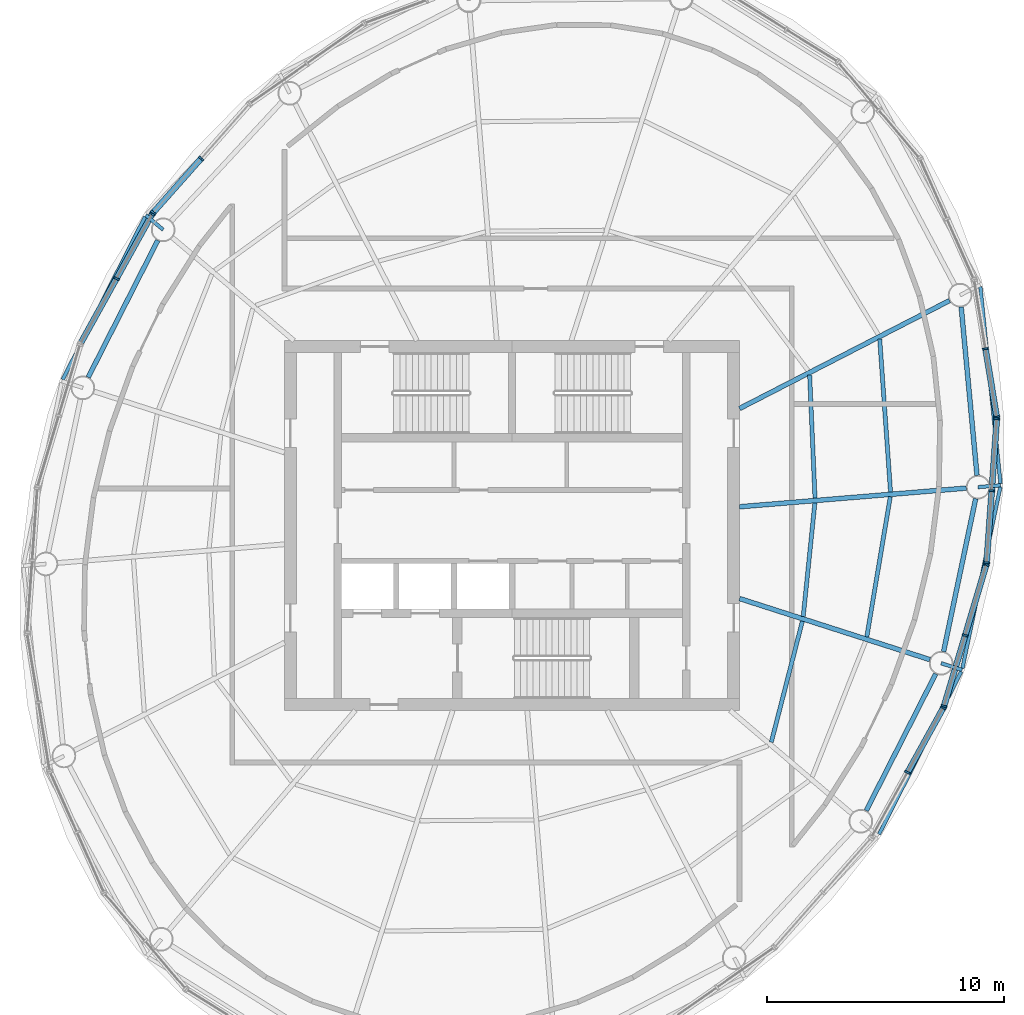
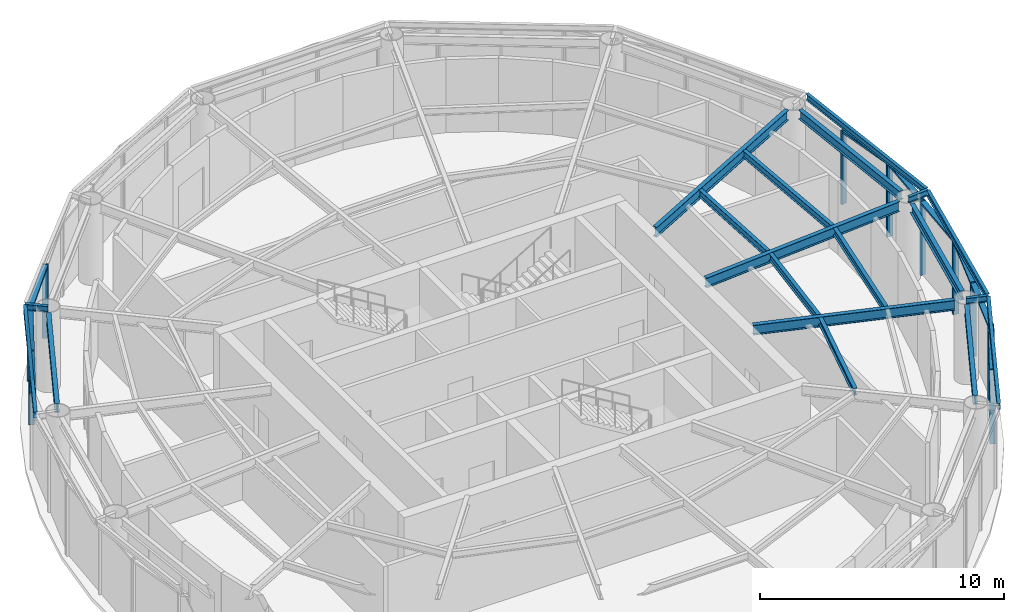
# One storey, part 4 of 11: 23 members, 19 beams, 6 elements without a shape of their own.
"""IFC4 building model written with IfcOpenShell, lengths in metres."""

from ifc_helpers import new_model, si_unit, direction, frame, origin, origin_2d, place, context, subcontext, project, spatial, rectangle, i_section, extrude, material, material_profile, profile_set, type_object, element, aggregate, save


model = new_model("IFC4")

# Units and contexts
model_context = context("Model", 3, precision=1e-05, world=origin(), true_north=direction((0.0, 1.0)))
body_context = subcontext(model_context, "Body", "Model", "MODEL_VIEW")
ifc_project = project(units=[si_unit("LENGTHUNIT", "METRE"), si_unit("AREAUNIT", "SQUARE_METRE"), si_unit("VOLUMEUNIT", "CUBIC_METRE"), si_unit("PLANEANGLEUNIT", "RADIAN"), si_unit("MASSUNIT", "GRAM", prefix="KILO")], contexts=[model_context])

# Site, building, storey
site_placement = place(None, origin())
site = spatial("IfcSite", under=ifc_project, at=site_placement, CompositionType="ELEMENT")
building_placement = place(site_placement, origin())
building = spatial("IfcBuilding", under=site, at=building_placement, Name="Vermilion Reach Broadcast Tower", CompositionType="ELEMENT")
storey_placement = place(building_placement, frame((0.0, 0.0, 321.300048828125)))
storey = spatial("IfcBuildingStorey", under=building, at=storey_placement, Name="L80 CROWN", CompositionType="ELEMENT", Elevation=321.300048828125)

# Curtain wall, members
ifc_material_1 = material(Name="Low-e laminated clear glass in aluminium frame", Category="aluminium")
curtain_wall_type = type_object("IfcCurtainWallType", Name="Crown glazing curtain wall", PredefinedType="NOTDEFINED", material=ifc_material_1)
placement = place(storey_placement, origin())
curtain_wall_1 = element("IfcCurtainWall", 1, at=placement, inside=storey, type_object=curtain_wall_type, Name="Crown glazing L80 CROWN 05", PredefinedType="NOTDEFINED")
ifc_material_2 = material(Name="Anodised aluminium", Category="aluminium")
ifc_material_profile_1 = material_profile(ifc_material_2, rectangle(XDim=0.25, YDim=0.080078125, at=origin_2d()), Name="Crown glazing mullion 80 x 250")
ifc_profile_set_1 = profile_set([ifc_material_profile_1], Name="Anodised aluminium")
member_type_1 = type_object("IfcMemberType", Name="Crown glazing mullion 80 x 250", PredefinedType="MULLION", material=ifc_profile_set_1)
member_1_placement = place(storey_placement, frame((-19.11669921875, 15.484619140625, 0.0), z_axis=(0.0, 0.0, 1.0), x_axis=(0.748407682668, -0.663238976934, 0.0)))
member_1 = element("IfcMember", 2, at=member_1_placement, type_object=member_type_1, Name="Crown glazing mullion L80 CROWN 05.2", PredefinedType="MULLION", context=body_context, shape_type="SweptSolid", body=[
    extrude(rectangle(XDim=0.25, YDim=0.080078125, at=origin_2d()), origin(), (0.0, 0.0, 1.0), 3.699951171875),
])
member_2_placement = place(storey_placement, frame((-21.135498046875, 13.20654296875, 0.0), z_axis=(0.0, 0.0, 1.0), x_axis=(0.748407682668, -0.663238976934, 0.0)))
member_2 = element("IfcMember", 3, at=member_2_placement, type_object=member_type_1, Name="Crown glazing mullion L80 CROWN 05.3", PredefinedType="MULLION", context=body_context, shape_type="SweptSolid", body=[
    extrude(rectangle(XDim=0.25, YDim=0.080078125, at=origin_2d()), origin(), (0.0, 0.0, 1.0), 3.699951171875),
])

curtain_wall_2 = element("IfcCurtainWall", 4, at=placement, inside=storey, type_object=curtain_wall_type, Name="Crown glazing L80 CROWN 06", PredefinedType="NOTDEFINED")
member_3_placement = place(storey_placement, frame((-21.181396484375, 13.1416015625, 0.0), z_axis=(0.0, 0.0, 1.0), x_axis=(0.874983200268, -0.484153280738, 0.0)))
member_3 = element("IfcMember", 5, at=member_3_placement, type_object=member_type_1, Name="Crown glazing mullion L80 CROWN 06.1", PredefinedType="MULLION", context=body_context, shape_type="SweptSolid", body=[
    extrude(rectangle(XDim=0.25, YDim=0.080078125, at=origin_2d()), origin(), (0.0, 0.0, 1.0), 3.699951171875),
])
member_4_placement = place(storey_placement, frame((-22.68896484375, 10.4169921875, 0.0), z_axis=(0.0, 0.0, 1.0), x_axis=(0.874983200268, -0.484153280738, 0.0)))
member_4 = element("IfcMember", 6, at=member_4_placement, type_object=member_type_1, Name="Crown glazing mullion L80 CROWN 06.2", PredefinedType="MULLION", context=body_context, shape_type="SweptSolid", body=[
    extrude(rectangle(XDim=0.25, YDim=0.080078125, at=origin_2d()), origin(), (0.0, 0.0, 1.0), 3.699951171875),
])

curtain_wall_3 = element("IfcCurtainWall", 7, at=placement, inside=storey, type_object=curtain_wall_type, Name="Crown glazing L80 CROWN 18", PredefinedType="NOTDEFINED")
member_5_placement = place(storey_placement, frame((10.68896484375, -10.4169921875, 0.0), z_axis=(0.0, 0.0, 1.0), x_axis=(-0.874983200268, 0.484153280738, 0.0)))
member_5 = element("IfcMember", 8, at=member_5_placement, type_object=member_type_1, Name="Crown glazing mullion L80 CROWN 18.2", PredefinedType="MULLION", context=body_context, shape_type="SweptSolid", body=[
    extrude(rectangle(XDim=0.25, YDim=0.080078125, at=origin_2d()), origin(), (0.0, 0.0, 1.0), 3.699951171875),
])
member_6_placement = place(storey_placement, frame((12.196533203125, -7.6923828125, 0.0), z_axis=(0.0, 0.0, 1.0), x_axis=(-0.874983200268, 0.484153280738, 0.0)))
member_6 = element("IfcMember", 9, at=member_6_placement, type_object=member_type_1, Name="Crown glazing mullion L80 CROWN 18.3", PredefinedType="MULLION", context=body_context, shape_type="SweptSolid", body=[
    extrude(rectangle(XDim=0.25, YDim=0.080078125, at=origin_2d()), origin(), (0.0, 0.0, 1.0), 3.699951171875),
])

curtain_wall_4 = element("IfcCurtainWall", 10, at=placement, inside=storey, type_object=curtain_wall_type, Name="Crown glazing L80 CROWN 19", PredefinedType="NOTDEFINED")
member_7_placement = place(storey_placement, frame((12.2275390625, -7.618896484375, 0.0), z_axis=(0.0, 0.0, 1.0), x_axis=(-0.958107940789, 0.286407356394, 0.0)))
member_7 = element("IfcMember", 11, at=member_7_placement, type_object=member_type_1, Name="Crown glazing mullion L80 CROWN 19.1", PredefinedType="MULLION", context=body_context, shape_type="SweptSolid", body=[
    extrude(rectangle(XDim=0.25, YDim=0.080078125, at=origin_2d()), origin(), (0.0, 0.0, 1.0), 3.699951171875),
])
member_8_placement = place(storey_placement, frame((13.119384765625, -4.635498046875, 0.0), z_axis=(0.0, 0.0, 1.0), x_axis=(-0.958107940789, 0.286407356394, 0.0)))
member_8 = element("IfcMember", 12, at=member_8_placement, type_object=member_type_1, Name="Crown glazing mullion L80 CROWN 19.2", PredefinedType="MULLION", context=body_context, shape_type="SweptSolid", body=[
    extrude(rectangle(XDim=0.25, YDim=0.080078125, at=origin_2d()), origin(), (0.0, 0.0, 1.0), 3.699951171875),
])
member_9_placement = place(storey_placement, frame((14.01123046875, -1.65185546875, 0.0), z_axis=(0.0, 0.0, 1.0), x_axis=(-0.958107940789, 0.286407356394, 0.0)))
member_9 = element("IfcMember", 13, at=member_9_placement, type_object=member_type_1, Name="Crown glazing mullion L80 CROWN 19.3", PredefinedType="MULLION", context=body_context, shape_type="SweptSolid", body=[
    extrude(rectangle(XDim=0.25, YDim=0.080078125, at=origin_2d()), origin(), (0.0, 0.0, 1.0), 3.699951171875),
])

curtain_wall_5 = element("IfcCurtainWall", 14, at=placement, inside=storey, type_object=curtain_wall_type, Name="Crown glazing L80 CROWN 20", PredefinedType="NOTDEFINED")
member_10_placement = place(storey_placement, frame((14.025390625, -1.57373046875, 0.0), z_axis=(0.0, 0.0, 1.0), x_axis=(-0.997499557729, 0.070672712769, 0.0)))
member_10 = element("IfcMember", 15, at=member_10_placement, type_object=member_type_1, Name="Crown glazing mullion L80 CROWN 20.1", PredefinedType="MULLION", context=body_context, shape_type="SweptSolid", body=[
    extrude(rectangle(XDim=0.25, YDim=0.080078125, at=origin_2d()), origin(), (0.0, 0.0, 1.0), 3.699951171875),
])
member_11_placement = place(storey_placement, frame((14.240478515625, 1.46240234375, 0.0), z_axis=(0.0, 0.0, 1.0), x_axis=(-0.997499557729, 0.070672712769, 0.0)))
member_11 = element("IfcMember", 16, at=member_11_placement, type_object=member_type_1, Name="Crown glazing mullion L80 CROWN 20.2", PredefinedType="MULLION", context=body_context, shape_type="SweptSolid", body=[
    extrude(rectangle(XDim=0.25, YDim=0.080078125, at=origin_2d()), origin(), (0.0, 0.0, 1.0), 3.699951171875),
])
member_12_placement = place(storey_placement, frame((14.455810546875, 4.49853515625, 0.0), z_axis=(0.0, 0.0, 1.0), x_axis=(-0.997499557729, 0.070672712769, 0.0)))
member_12 = element("IfcMember", 17, at=member_12_placement, type_object=member_type_1, Name="Crown glazing mullion L80 CROWN 20.3", PredefinedType="MULLION", context=body_context, shape_type="SweptSolid", body=[
    extrude(rectangle(XDim=0.25, YDim=0.080078125, at=origin_2d()), origin(), (0.0, 0.0, 1.0), 3.699951171875),
])

curtain_wall_6 = element("IfcCurtainWall", 18, at=placement, inside=storey, type_object=curtain_wall_type, Name="Crown glazing L80 CROWN 21", PredefinedType="NOTDEFINED")
member_13_placement = place(storey_placement, frame((14.451904296875, 4.577880859375, 0.0), z_axis=(0.0, 0.0, 1.0), x_axis=(-0.986689101121, -0.162618011697, 0.0)))
member_13 = element("IfcMember", 19, at=member_13_placement, type_object=member_type_1, Name="Crown glazing mullion L80 CROWN 21.1", PredefinedType="MULLION", context=body_context, shape_type="SweptSolid", body=[
    extrude(rectangle(XDim=0.25, YDim=0.080078125, at=origin_2d()), origin(), (0.0, 0.0, 1.0), 3.699951171875),
])
member_14_placement = place(storey_placement, frame((13.9775390625, 7.456787109375, 0.0), z_axis=(0.0, 0.0, 1.0), x_axis=(-0.986689101121, -0.162618011697, 0.0)))
member_14 = element("IfcMember", 20, at=member_14_placement, type_object=member_type_1, Name="Crown glazing mullion L80 CROWN 21.2", PredefinedType="MULLION", context=body_context, shape_type="SweptSolid", body=[
    extrude(rectangle(XDim=0.25, YDim=0.080078125, at=origin_2d()), origin(), (0.0, 0.0, 1.0), 3.699951171875),
])

# Member
ifc_material_3 = material(Name="Anodised aluminium", Category="aluminium")
ifc_material_profile_2 = material_profile(ifc_material_3, rectangle(XDim=0.25, YDim=0.10009765625, at=origin_2d()), Name="Crown glazing transom 250 x 100")
ifc_profile_set_2 = profile_set([ifc_material_profile_2], Name="Anodised aluminium")
member_type_2 = type_object("IfcMemberType", Name="Crown glazing transom 250 x 100", PredefinedType="USERDEFINED", material=ifc_profile_set_2)
member_15_placement = place(storey_placement, frame((-19.143310546875, 15.45458984375, 3.64990234375), z_axis=(-0.663233067327, -0.74841291972, 0.0), x_axis=(0.74841291972, -0.663233067327, 0.0)))
member_15 = element("IfcMember", 21, at=member_15_placement, type_object=member_type_2, Name="Crown glazing transom L80 CROWN 05.2.2", ObjectType="TRANSOM", PredefinedType="USERDEFINED", context=body_context, shape_type="SweptSolid", body=[
    extrude(rectangle(XDim=0.25, YDim=0.10009765625, at=origin_2d()), origin(), (0.0, 0.0, 1.0), 2.963623046875),
])

aggregate(curtain_wall_1, [member_1, member_2, member_15])

member_16_placement = place(storey_placement, frame((-21.20068359375, 13.106689453125, 3.64990234375), z_axis=(-0.484159697597, -0.874979649605, 0.0), x_axis=(0.874979649605, -0.484159697597, 0.0)))
member_16 = element("IfcMember", 22, at=member_16_placement, type_object=member_type_2, Name="Crown glazing transom L80 CROWN 06.1.2", ObjectType="TRANSOM", PredefinedType="USERDEFINED", context=body_context, shape_type="SweptSolid", body=[
    extrude(rectangle(XDim=0.25, YDim=0.10009765625, at=origin_2d()), origin(), (0.0, 0.0, 1.0), 3.0341796875),
])

member_17_placement = place(storey_placement, frame((-22.70849609375, 10.382080078125, 3.64990234375), z_axis=(-0.484098090619, -0.875013736269, 0.0), x_axis=(0.875013736269, -0.484098090619, 0.0)))
member_17 = element("IfcMember", 23, at=member_17_placement, type_object=member_type_2, Name="Crown glazing transom L80 CROWN 06.2.2", ObjectType="TRANSOM", PredefinedType="USERDEFINED", context=body_context, shape_type="SweptSolid", body=[
    extrude(rectangle(XDim=0.25, YDim=0.10009765625, at=origin_2d()), origin(), (0.0, 0.0, 1.0), 3.033935546875),
])

aggregate(curtain_wall_2, [member_3, member_4, member_16, member_17])

member_18_placement = place(storey_placement, frame((10.70849609375, -10.382080078125, 3.64990234375), z_axis=(0.484098090619, 0.875013736269, 0.0), x_axis=(-0.875013736269, 0.484098090619, 0.0)))
member_18 = element("IfcMember", 24, at=member_18_placement, type_object=member_type_2, Name="Crown glazing transom L80 CROWN 18.2.2", ObjectType="TRANSOM", PredefinedType="USERDEFINED", context=body_context, shape_type="SweptSolid", body=[
    extrude(rectangle(XDim=0.25, YDim=0.10009765625, at=origin_2d()), origin(), (0.0, 0.0, 1.0), 3.033935546875),
])

aggregate(curtain_wall_3, [member_5, member_6, member_18])

member_19_placement = place(storey_placement, frame((12.239013671875, -7.58056640625, 3.64990234375), z_axis=(0.286402743865, 0.958109319601, 0.0), x_axis=(-0.958109319601, 0.286402743865, 0.0)))
member_19 = element("IfcMember", 25, at=member_19_placement, type_object=member_type_2, Name="Crown glazing transom L80 CROWN 19.1.2", ObjectType="TRANSOM", PredefinedType="USERDEFINED", context=body_context, shape_type="SweptSolid", body=[
    extrude(rectangle(XDim=0.25, YDim=0.10009765625, at=origin_2d()), origin(), (0.0, 0.0, 1.0), 3.033935546875),
])

member_20_placement = place(storey_placement, frame((13.130859375, -4.59716796875, 3.64990234375), z_axis=(0.286380663338, 0.958115919744, 0.0), x_axis=(-0.958115919744, 0.286380663338, 0.0)))
member_20 = element("IfcMember", 26, at=member_20_placement, type_object=member_type_2, Name="Crown glazing transom L80 CROWN 19.2.2", ObjectType="TRANSOM", PredefinedType="USERDEFINED", context=body_context, shape_type="SweptSolid", body=[
    extrude(rectangle(XDim=0.25, YDim=0.10009765625, at=origin_2d()), origin(), (0.0, 0.0, 1.0), 3.0341796875),
])

aggregate(curtain_wall_4, [member_7, member_8, member_9, member_19, member_20])

member_21_placement = place(storey_placement, frame((14.0283203125, -1.533935546875, 3.64990234375), z_axis=(0.07067918302, 0.997499099292, 0.0), x_axis=(-0.997499099292, 0.07067918302, 0.0)))
member_21 = element("IfcMember", 27, at=member_21_placement, type_object=member_type_2, Name="Crown glazing transom L80 CROWN 20.1.2", ObjectType="TRANSOM", PredefinedType="USERDEFINED", context=body_context, shape_type="SweptSolid", body=[
    extrude(rectangle(XDim=0.25, YDim=0.10009765625, at=origin_2d()), origin(), (0.0, 0.0, 1.0), 2.963623046875),
])

member_22_placement = place(storey_placement, frame((14.243408203125, 1.502197265625, 3.64990234375), z_axis=(0.07067918302, 0.997499099292, 0.0), x_axis=(-0.997499099292, 0.07067918302, 0.0)))
member_22 = element("IfcMember", 28, at=member_22_placement, type_object=member_type_2, Name="Crown glazing transom L80 CROWN 20.2.2", ObjectType="TRANSOM", PredefinedType="USERDEFINED", context=body_context, shape_type="SweptSolid", body=[
    extrude(rectangle(XDim=0.25, YDim=0.10009765625, at=origin_2d()), origin(), (0.0, 0.0, 1.0), 2.963623046875),
])

aggregate(curtain_wall_5, [member_10, member_11, member_12, member_21, member_22])

member_23_placement = place(storey_placement, frame((14.445556640625, 4.6171875, 3.64990234375), z_axis=(-0.162599033258, 0.986692228805, 0.0), x_axis=(-0.986692228805, -0.162599033258, 0.0)))
member_23 = element("IfcMember", 29, at=member_23_placement, type_object=member_type_2, Name="Crown glazing transom L80 CROWN 21.1.2", ObjectType="TRANSOM", PredefinedType="USERDEFINED", context=body_context, shape_type="SweptSolid", body=[
    extrude(rectangle(XDim=0.25, YDim=0.10009765625, at=origin_2d()), origin(), (0.0, 0.0, 1.0), 2.837890625),
])

aggregate(curtain_wall_6, [member_13, member_14, member_23])

# Beams
ifc_material_4 = material(Name="Steel S355J2", Category="steel")
ifc_material_profile_3 = material_profile(ifc_material_4, i_section(OverallWidth=0.14990234375, OverallDepth=0.300048828125, WebThickness=0.006591796875, FlangeThickness=0.009033203125, at=origin_2d()), Name="S355J2 HN 300x150x6.5x9")
ifc_profile_set_3 = profile_set([ifc_material_profile_3], Name="Steel S355J2")
beam_type_1 = type_object("IfcBeamType", Name="EB5 HN 300x150x6.5x9", PredefinedType="BEAM", material=ifc_profile_set_3)
for number, where, z_axis, x_axis, name in (
    (30, (-21.48291015625, 13.02734375, 3.849853515625), (-0.451232435887, -0.892406459414, 0.0), (0.892406459414, -0.451232435887, 0.0), "Edge beam EB5-04"),
    (31, (9.48291015625, -13.02734375, 3.849853515625), (0.451232435887, 0.892406459414, 0.0), (-0.892406459414, 0.451232435887, 0.0), "Edge beam EB5-12"),
):
    element("IfcBeam", number, at=place(storey_placement, frame(where, z_axis=z_axis, x_axis=x_axis)), inside=storey, type_object=beam_type_1, Name=name, PredefinedType="BEAM", context=body_context, shape_type="SweptSolid", body=[
        extrude(i_section(OverallWidth=0.14990234375, OverallDepth=0.300048828125, WebThickness=0.006591796875, FlangeThickness=0.009033203125, at=origin_2d()), origin(), (0.0, 0.0, 1.0), 7.6943359375),
    ])
beam_1_placement = place(storey_placement, frame((13.00439453125, -6.019287109375, 3.849853515625), z_axis=(0.204738436734, 0.978816720599, 0.0), x_axis=(-0.978816720599, 0.204738436734, 0.0)))
element("IfcBeam", 32, at=beam_1_placement, inside=storey, type_object=beam_type_1, Name="Edge beam EB5-13", PredefinedType="BEAM", context=body_context, shape_type="SweptSolid", body=[
    extrude(i_section(OverallWidth=0.14990234375, OverallDepth=0.300048828125, WebThickness=0.006591796875, FlangeThickness=0.009033203125, at=origin_2d()), origin(), (0.0, 0.0, 1.0), 7.806884765625),
])
beam_2_placement = place(storey_placement, frame((14.611083984375, 1.7734375, 3.849853515625), z_axis=(-0.102011792202, 0.99478318957, 0.0), x_axis=(-0.99478318957, -0.102011792202, 0.0)))
element("IfcBeam", 33, at=beam_2_placement, inside=storey, type_object=beam_type_1, Name="Edge beam EB5-14", PredefinedType="BEAM", context=body_context, shape_type="SweptSolid", body=[
    extrude(i_section(OverallWidth=0.14990234375, OverallDepth=0.300048828125, WebThickness=0.006591796875, FlangeThickness=0.009033203125, at=origin_2d()), origin(), (0.0, 0.0, 1.0), 8.34521484375),
])
ifc_material_5 = material(Name="Steel S355J2", Category="steel")
ifc_material_profile_4 = material_profile(ifc_material_5, i_section(OverallWidth=0.199951171875, OverallDepth=0.5, WebThickness=0.010009765625, FlangeThickness=0.01611328125, at=origin_2d()), Name="S355J2 HN 500x200x10x16")
ifc_profile_set_4 = profile_set([ifc_material_profile_4], Name="Steel S355J2")
beam_type_2 = type_object("IfcBeamType", Name="G5 HN 500x200x10x16", PredefinedType="BEAM", material=ifc_profile_set_4)
beam_3_placement = place(storey_placement, frame((3.60009765625, -3.080322265625, 3.75), z_axis=(0.952178453449, -0.305542456604, 0.0), x_axis=(0.305542456604, 0.952178453449, 0.0)))
element("IfcBeam", 34, at=beam_3_placement, inside=storey, type_object=beam_type_2, Name="Girder G5-13", PredefinedType="BEAM", context=body_context, shape_type="SweptSolid", body=[
    extrude(i_section(OverallWidth=0.199951171875, OverallDepth=0.5, WebThickness=0.010009765625, FlangeThickness=0.01611328125, at=origin_2d()), origin(), (0.0, 0.0, 1.0), 8.43310546875),
])
beam_4_placement = place(storey_placement, frame((3.60009765625, 0.791015625, 3.75), z_axis=(0.996624410075, 0.082096195058, 0.0), x_axis=(-0.082096195058, 0.996624410075, 0.0)))
element("IfcBeam", 35, at=beam_4_placement, inside=storey, type_object=beam_type_2, Name="Girder G5-14", PredefinedType="BEAM", context=body_context, shape_type="SweptSolid", body=[
    extrude(i_section(OverallWidth=0.199951171875, OverallDepth=0.5, WebThickness=0.010009765625, FlangeThickness=0.01611328125, at=origin_2d()), origin(), (0.0, 0.0, 1.0), 9.599609375),
])
beam_5_placement = place(storey_placement, frame((3.60009765625, 4.935791015625, 3.75), z_axis=(0.889332502449, 0.457261085254, 0.0), x_axis=(-0.457261085254, 0.889332502449, 0.0)))
element("IfcBeam", 36, at=beam_5_placement, inside=storey, type_object=beam_type_2, Name="Girder G5-15", PredefinedType="BEAM", context=body_context, shape_type="SweptSolid", body=[
    extrude(i_section(OverallWidth=0.199951171875, OverallDepth=0.5, WebThickness=0.010009765625, FlangeThickness=0.01611328125, at=origin_2d()), origin(), (0.0, 0.0, 1.0), 9.96337890625),
])
ifc_material_6 = material(Name="Steel S355J2", Category="steel")
ifc_material_profile_5 = material_profile(ifc_material_6, i_section(OverallWidth=0.14990234375, OverallDepth=0.300048828125, WebThickness=0.006591796875, FlangeThickness=0.009033203125, at=origin_2d()), Name="S355J2 HN 300x150x6.5x9")
ifc_profile_set_5 = profile_set([ifc_material_profile_5], Name="Steel S355J2")
beam_type_3 = type_object("IfcBeamType", Name="GS5 HN 300x150x6.5x9", PredefinedType="BEAM", material=ifc_profile_set_5)
beam_6_placement = place(storey_placement, frame((-20.717529296875, 12.476806640625, 3.849853515625), z_axis=(-0.762718692688, 0.64673038882, 0.0), x_axis=(-0.64673038882, -0.762718692688, 0.0)))
element("IfcBeam", 37, at=beam_6_placement, inside=storey, type_object=beam_type_3, Name="Cantilever stub GS5-04", PredefinedType="BEAM", context=body_context, shape_type="SweptSolid", body=[
    extrude(i_section(OverallWidth=0.14990234375, OverallDepth=0.300048828125, WebThickness=0.006591796875, FlangeThickness=0.009033203125, at=origin_2d()), origin(), (0.0, 0.0, 1.0), 0.957763671875),
])
beam_7_placement = place(storey_placement, frame((12.10595703125, -5.809814453125, 3.849853515625), z_axis=(0.952228317443, -0.305387019141, 0.0), x_axis=(0.305387019141, 0.952228317443, 0.0)))
element("IfcBeam", 38, at=beam_7_placement, inside=storey, type_object=beam_type_3, Name="Cantilever stub GS5-13", PredefinedType="BEAM", context=body_context, shape_type="SweptSolid", body=[
    extrude(i_section(OverallWidth=0.14990234375, OverallDepth=0.300048828125, WebThickness=0.006591796875, FlangeThickness=0.009033203125, at=origin_2d()), origin(), (0.0, 0.0, 1.0), 0.92724609375),
])
beam_8_placement = place(storey_placement, frame((13.665771484375, 1.620361328125, 3.849853515625), z_axis=(0.996634988565, 0.081967673925, 0.0), x_axis=(-0.081967673925, 0.996634988565, 0.0)))
element("IfcBeam", 39, at=beam_8_placement, inside=storey, type_object=beam_type_3, Name="Cantilever stub GS5-14", PredefinedType="BEAM", context=body_context, shape_type="SweptSolid", body=[
    extrude(i_section(OverallWidth=0.14990234375, OverallDepth=0.300048828125, WebThickness=0.006591796875, FlangeThickness=0.009033203125, at=origin_2d()), origin(), (0.0, 0.0, 1.0), 0.9560546875),
])
ifc_material_7 = material(Name="Steel S355J2", Category="steel")
ifc_material_profile_6 = material_profile(ifc_material_7, i_section(OverallWidth=0.199951171875, OverallDepth=0.449951171875, WebThickness=0.009033203125, FlangeThickness=0.013916015625, at=origin_2d()), Name="S355J2 HN 450x200x9x14")
ifc_profile_set_6 = profile_set([ifc_material_profile_6], Name="Steel S355J2")
beam_type_4 = type_object("IfcBeamType", Name="RB5 HN 450x200x9x14", PredefinedType="BEAM", material=ifc_profile_set_6)
for number, where, z_axis, x_axis, name in (
    (40, (-20.944091796875, 12.03125, 3.77490234375), (-0.453052302855, -0.891483937532, 0.0), (0.891483937532, -0.453052302855, 0.0), "Ring beam RB5-04"),
    (41, (8.944091796875, -12.03125, 3.77490234375), (0.453052302855, 0.891483937532, 0.0), (-0.891483937532, 0.453052302855, 0.0), "Ring beam RB5-12"),
):
    element("IfcBeam", number, at=place(storey_placement, frame(where, z_axis=z_axis, x_axis=x_axis)), inside=storey, type_object=beam_type_4, Name=name, PredefinedType="BEAM", context=body_context, shape_type="SweptSolid", body=[
        extrude(i_section(OverallWidth=0.199951171875, OverallDepth=0.449951171875, WebThickness=0.009033203125, FlangeThickness=0.013916015625, at=origin_2d()), origin(), (0.0, 0.0, 1.0), 6.47900390625),
    ])
beam_9_placement = place(storey_placement, frame((12.208740234375, -5.3203125, 3.77490234375), z_axis=(0.205444869285, 0.978668690459, 0.0), x_axis=(-0.978668690459, 0.205444869285, 0.0)))
element("IfcBeam", 42, at=beam_9_placement, inside=storey, type_object=beam_type_4, Name="Ring beam RB5-13", PredefinedType="BEAM", context=body_context, shape_type="SweptSolid", body=[
    extrude(i_section(OverallWidth=0.199951171875, OverallDepth=0.449951171875, WebThickness=0.009033203125, FlangeThickness=0.013916015625, at=origin_2d()), origin(), (0.0, 0.0, 1.0), 6.591796875),
])
beam_10_placement = place(storey_placement, frame((13.618896484375, 2.1181640625, 3.77490234375), z_axis=(-0.093441399272, 0.995624781181, 0.0), x_axis=(-0.995624781181, -0.093441399272, 0.0)))
element("IfcBeam", 43, at=beam_10_placement, inside=storey, type_object=beam_type_4, Name="Ring beam RB5-14", PredefinedType="BEAM", context=body_context, shape_type="SweptSolid", body=[
    extrude(i_section(OverallWidth=0.199951171875, OverallDepth=0.449951171875, WebThickness=0.009033203125, FlangeThickness=0.013916015625, at=origin_2d()), origin(), (0.0, 0.0, 1.0), 7.135498046875),
])
ifc_material_8 = material(Name="Steel S355J2", Category="steel")
ifc_material_profile_7 = material_profile(ifc_material_8, i_section(OverallWidth=0.175048828125, OverallDepth=0.35009765625, WebThickness=0.007080078125, FlangeThickness=0.010986328125, at=origin_2d()), Name="S355J2 HN 350x175x7x11")
ifc_profile_set_7 = profile_set([ifc_material_profile_7], Name="Steel S355J2")
beam_type_5 = type_object("IfcBeamType", Name="SB5 HN 350x175x7x11", PredefinedType="BEAM", material=ifc_profile_set_7)
beam_11_placement = place(storey_placement, frame((4.940185546875, -9.1435546875, 3.824951171875), z_axis=(0.248729575729, 0.968572969971, 0.0), x_axis=(-0.968572969971, 0.248729575729, 0.0)))
element("IfcBeam", 44, at=beam_11_placement, inside=storey, type_object=beam_type_5, Name="Secondary beam SB5-12-1", PredefinedType="BEAM", context=body_context, shape_type="SweptSolid", body=[
    extrude(i_section(OverallWidth=0.175048828125, OverallDepth=0.35009765625, WebThickness=0.007080078125, FlangeThickness=0.010986328125, at=origin_2d()), origin(), (0.0, 0.0, 1.0), 5.27294921875),
])
beam_12_placement = place(storey_placement, frame((6.287109375, -3.837646484375, 3.824951171875), z_axis=(0.102113775264, 0.994772726255, 0.0), x_axis=(-0.994772726255, 0.102113775264, 0.0)))
element("IfcBeam", 45, at=beam_12_placement, inside=storey, type_object=beam_type_5, Name="Secondary beam SB5-13-1", PredefinedType="BEAM", context=body_context, shape_type="SweptSolid", body=[
    extrude(i_section(OverallWidth=0.175048828125, OverallDepth=0.35009765625, WebThickness=0.007080078125, FlangeThickness=0.010986328125, at=origin_2d()), origin(), (0.0, 0.0, 1.0), 4.815185546875),
])
beam_13_placement = place(storey_placement, frame((8.969970703125, -4.698486328125, 3.824951171875), z_axis=(0.16532337011, 0.986239414795, 0.0), x_axis=(-0.986239414795, 0.16532337011, 0.0)))
element("IfcBeam", 46, at=beam_13_placement, inside=storey, type_object=beam_type_5, Name="Secondary beam SB5-13-2", PredefinedType="BEAM", context=body_context, shape_type="SweptSolid", body=[
    extrude(i_section(OverallWidth=0.175048828125, OverallDepth=0.35009765625, WebThickness=0.007080078125, FlangeThickness=0.010986328125, at=origin_2d()), origin(), (0.0, 0.0, 1.0), 5.99560546875),
])
beam_14_placement = place(storey_placement, frame((6.78466796875, 1.153564453125, 3.824951171875), z_axis=(-0.043557530017, 0.999050920413, 0.0), x_axis=(-0.999050920413, -0.043557530017, 0.0)))
element("IfcBeam", 47, at=beam_14_placement, inside=storey, type_object=beam_type_5, Name="Secondary beam SB5-14-1", PredefinedType="BEAM", context=body_context, shape_type="SweptSolid", body=[
    extrude(i_section(OverallWidth=0.175048828125, OverallDepth=0.35009765625, WebThickness=0.007080078125, FlangeThickness=0.010986328125, at=origin_2d()), origin(), (0.0, 0.0, 1.0), 5.19580078125),
])
beam_15_placement = place(storey_placement, frame((9.97119140625, 1.416259765625, 3.824951171875), z_axis=(-0.070586780458, 0.997505642302, 0.0), x_axis=(-0.997505642302, -0.070586780458, 0.0)))
element("IfcBeam", 48, at=beam_15_placement, inside=storey, type_object=beam_type_5, Name="Secondary beam SB5-14-2", PredefinedType="BEAM", context=body_context, shape_type="SweptSolid", body=[
    extrude(i_section(OverallWidth=0.175048828125, OverallDepth=0.35009765625, WebThickness=0.007080078125, FlangeThickness=0.010986328125, at=origin_2d()), origin(), (0.0, 0.0, 1.0), 6.46435546875),
])

save(model, "model.ifc")
